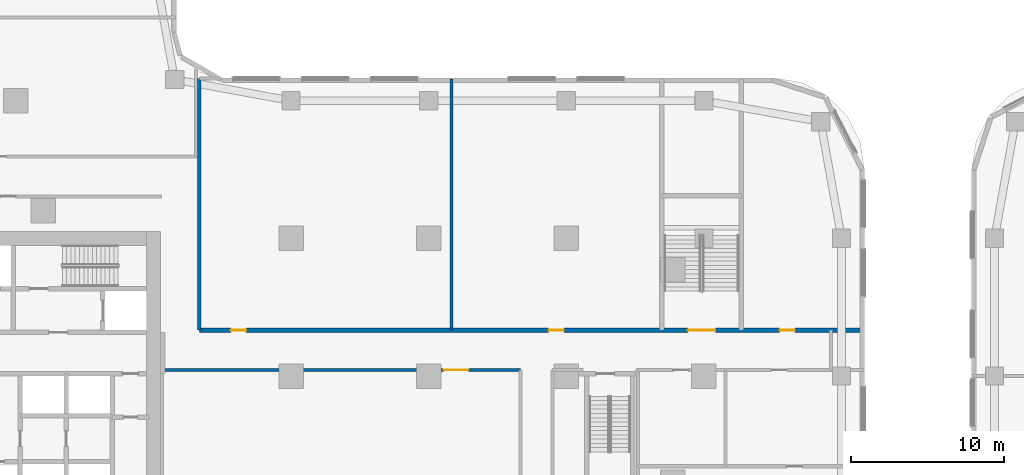
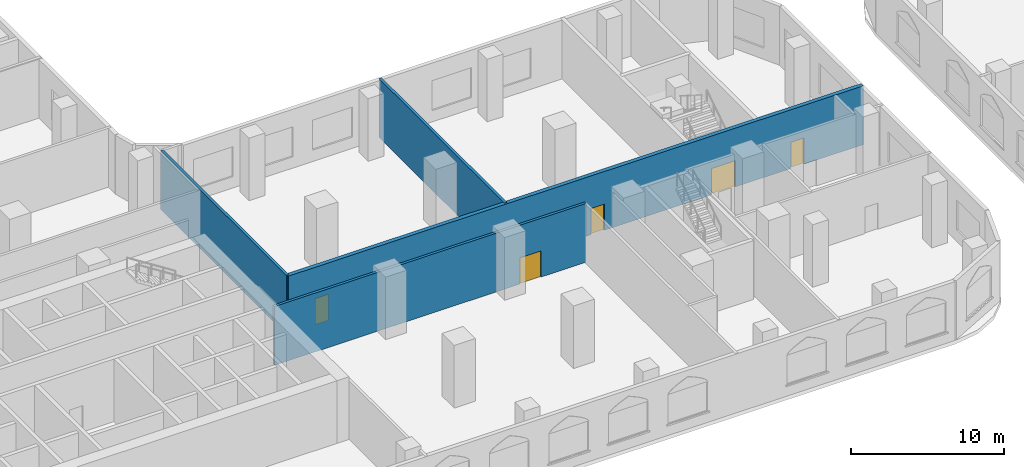
# One storey, part 5 of 31: 5 doors, 4 walls, 5 openings.
"""IFC4 building model written with IfcOpenShell, lengths in metres."""

from ifc_helpers import new_model, si_unit, direction, frame, frame_2d, origin, place, context, subcontext, project, spatial, rectangle, extrude, material, layer, layer_set, type_object, element, fill, save


model = new_model("IFC4")

# Units and contexts
model_context = context("Model", 3, precision=1e-05, world=origin(), true_north=direction((0.0, 1.0)))
body_context = subcontext(model_context, "Body", "Model", "MODEL_VIEW")
ifc_project = project(units=[si_unit("LENGTHUNIT", "METRE"), si_unit("AREAUNIT", "SQUARE_METRE"), si_unit("VOLUMEUNIT", "CUBIC_METRE"), si_unit("PLANEANGLEUNIT", "RADIAN"), si_unit("MASSUNIT", "GRAM", prefix="KILO")], contexts=[model_context])

# Site, building, storey
site_placement = place(None, origin())
site = spatial("IfcSite", under=ifc_project, at=site_placement, CompositionType="ELEMENT")
building_placement = place(site_placement, origin())
building = spatial("IfcBuilding", under=site, at=building_placement, Name="Ogive Portal Towers", CompositionType="ELEMENT")
storey_placement = place(building_placement, frame((0.0, 0.0, 13.5)))
storey = spatial("IfcBuildingStorey", under=building, at=storey_placement, Name="L02", CompositionType="ELEMENT", Elevation=13.5)

# Wall, openings, doors
ifc_material_1 = material(Name="Concrete C50/60", Category="concrete")
ifc_layer_1 = layer(ifc_material_1, 0.300048828125)
ifc_layer_set_1 = layer_set([ifc_layer_1], Name="STAIR WALL 300 C50")
wall_type_1 = type_object("IfcWallType", Name="STAIR WALL 300 C50", PredefinedType="SHEAR", material=ifc_layer_set_1)
wall_1_placement = place(storey_placement, frame((61.5, 33.5, 0.0), z_axis=(0.0, 0.0, 1.0), x_axis=(1.0, 0.0, 0.0)))
wall_1 = element("IfcWall", 1, at=wall_1_placement, inside=storey, type_object=wall_type_1, Name="Stair wall ST-P1 L02", PredefinedType="SHEAR", context=body_context, shape_type="SweptSolid", body=[
    extrude(rectangle(XDim=43.429931640625, YDim=0.300048828125, at=frame_2d((21.71484375, 0.0))), origin(), (0.0, 0.0, 1.0), 4.699951171875),
])
opening_1_placement = place(wall_1_placement, frame((31.949951171875, 0.0, 0.0)))
opening_1 = element("IfcOpeningElement", 2, at=opening_1_placement, cuts=wall_1, Name="Opening P02-003", PredefinedType="OPENING", context=body_context, shape_type="SweptSolid", body=[
    extrude(rectangle(XDim=1.800048828125, YDim=2.10009765625, at=frame_2d((0.89990234375, 1.050048828125))), frame((0.0, 0.16015625, 0.0), z_axis=(0.0, -1.0, 0.0), x_axis=(1.0, 0.0, 0.0)), (0.0, 0.0, 1.0), 0.320068359375),
])
opening_2_placement = place(wall_1_placement, frame((2.068115234375, 0.0, 0.0)))
opening_2 = element("IfcOpeningElement", 3, at=opening_2_placement, cuts=wall_1, Name="Opening P02-014", PredefinedType="OPENING", context=body_context, shape_type="SweptSolid", body=[
    extrude(rectangle(XDim=1.0, YDim=2.10009765625, at=frame_2d((0.5, 1.050048828125))), frame((0.0, 0.16015625, 0.0), z_axis=(0.0, -1.0, 0.0), x_axis=(1.0, 0.0, 0.0)), (0.0, 0.0, 1.0), 0.320068359375),
])
opening_3_placement = place(wall_1_placement, frame((22.845947265625, 0.0, 0.0)))
opening_3 = element("IfcOpeningElement", 4, at=opening_3_placement, cuts=wall_1, Name="Opening P02-015", PredefinedType="OPENING", context=body_context, shape_type="SweptSolid", body=[
    extrude(rectangle(XDim=1.0, YDim=2.10009765625, at=frame_2d((0.5, 1.050048828125))), frame((0.0, 0.16015625, 0.0), z_axis=(0.0, -1.0, 0.0), x_axis=(1.0, 0.0, 0.0)), (0.0, 0.0, 1.0), 0.320068359375),
])
opening_4_placement = place(wall_1_placement, frame((37.945068359375, 0.0, 0.0)))
opening_4 = element("IfcOpeningElement", 5, at=opening_4_placement, cuts=wall_1, Name="Opening P02-016", PredefinedType="OPENING", context=body_context, shape_type="SweptSolid", body=[
    extrude(rectangle(XDim=1.0, YDim=2.10009765625, at=frame_2d((0.5, 1.050048828125))), frame((0.0, 0.16015625, 0.0), z_axis=(0.0, -1.0, 0.0), x_axis=(1.0, 0.0, 0.0)), (0.0, 0.0, 1.0), 0.320068359375),
])
ifc_material_2 = material(Name="Steel fire door", Category="steel")
door_type_1 = type_object("IfcDoorType", Name="DT-SWING-1000x2100-FD90S", OperationType="SINGLE_SWING_LEFT", PredefinedType="DOOR", material=ifc_material_2)
door_1_placement = place(opening_2_placement, origin())
door_1 = element("IfcDoor", 6, at=door_1_placement, inside=storey, type_object=door_type_1, Name="Door P02-014", OperationType="SINGLE_SWING_RIGHT", OverallHeight=2.10009765625, OverallWidth=1.0, PredefinedType="DOOR", context=body_context, shape_type="SweptSolid", body=[
    extrude(rectangle(XDim=1.0, YDim=2.10009765625, at=frame_2d((0.5, 1.050048828125))), frame((0.0, 0.02490234375, 0.0), z_axis=(0.0, -1.0, 0.0), x_axis=(1.0, 0.0, 0.0)), (0.0, 0.0, 1.0), 0.050048828125),
])
fill(opening_2, door_1)
door_2_placement = place(opening_3_placement, origin())
door_2 = element("IfcDoor", 7, at=door_2_placement, inside=storey, type_object=door_type_1, Name="Door P02-015", OperationType="SINGLE_SWING_LEFT", OverallHeight=2.10009765625, OverallWidth=1.0, PredefinedType="DOOR", context=body_context, shape_type="SweptSolid", body=[
    extrude(rectangle(XDim=1.0, YDim=2.10009765625, at=frame_2d((0.5, 1.050048828125))), frame((0.0, 0.02490234375, 0.0), z_axis=(0.0, -1.0, 0.0), x_axis=(1.0, 0.0, 0.0)), (0.0, 0.0, 1.0), 0.050048828125),
])
fill(opening_3, door_2)
door_3_placement = place(opening_4_placement, origin())
door_3 = element("IfcDoor", 8, at=door_3_placement, inside=storey, type_object=door_type_1, Name="Door P02-016", OperationType="SINGLE_SWING_RIGHT", OverallHeight=2.10009765625, OverallWidth=1.0, PredefinedType="DOOR", context=body_context, shape_type="SweptSolid", body=[
    extrude(rectangle(XDim=1.0, YDim=2.10009765625, at=frame_2d((0.5, 1.050048828125))), frame((0.0, 0.02490234375, 0.0), z_axis=(0.0, -1.0, 0.0), x_axis=(1.0, 0.0, 0.0)), (0.0, 0.0, 1.0), 0.050048828125),
])
fill(opening_4, door_3)
door_type_2 = type_object("IfcDoorType", Name="DT-SWING-1800x2100-FD90S", OperationType="SINGLE_SWING_LEFT", PredefinedType="DOOR", material=ifc_material_2)
door_4_placement = place(opening_1_placement, origin())
door_4 = element("IfcDoor", 9, at=door_4_placement, inside=storey, type_object=door_type_2, Name="Door P02-003", OperationType="SINGLE_SWING_LEFT", OverallHeight=2.10009765625, OverallWidth=1.800048828125, PredefinedType="DOOR", context=body_context, shape_type="SweptSolid", body=[
    extrude(rectangle(XDim=1.800048828125, YDim=2.10009765625, at=frame_2d((0.89990234375, 1.050048828125))), frame((0.0, 0.02490234375, 0.0), z_axis=(0.0, -1.0, 0.0), x_axis=(1.0, 0.0, 0.0)), (0.0, 0.0, 1.0), 0.050048828125),
])
fill(opening_1, door_4)

# Wall, opening, door
ifc_material_3 = material(Name="Gypsum board partition on steel studs", Category="steel")
ifc_layer_2 = layer(ifc_material_3, 0.199951171875)
ifc_layer_set_2 = layer_set([ifc_layer_2], Name="WT-PART-200-EI 60")
wall_type_2 = type_object("IfcWallType", Name="WT-PART-200-EI 60", PredefinedType="PARTITIONING", material=ifc_layer_set_2)
wall_2_placement = place(storey_placement, frame((58.969970703125, 30.89990234375, 0.0), z_axis=(0.0, 0.0, 1.0), x_axis=(1.0, 0.0, 0.0)))
wall_2 = element("IfcWall", 10, at=wall_2_placement, inside=storey, type_object=wall_type_2, Name="Wall L02:w013", PredefinedType="PARTITIONING", context=body_context, shape_type="SweptSolid", body=[
    extrude(rectangle(XDim=23.530029296875, YDim=0.199951171875, at=frame_2d((11.76513671875, 0.0))), origin(), (0.0, 0.0, 1.0), 4.699951171875),
])
opening_5_placement = place(wall_2_placement, frame((18.530029296875, 0.0, 0.0)))
opening_5 = element("IfcOpeningElement", 11, at=opening_5_placement, cuts=wall_2, Name="Opening P02-010", PredefinedType="OPENING", context=body_context, shape_type="SweptSolid", body=[
    extrude(rectangle(XDim=1.60009765625, YDim=2.10009765625, at=frame_2d((0.800048828125, 1.050048828125))), frame((0.0, 0.10986328125, 0.0), z_axis=(0.0, -1.0, 0.0), x_axis=(1.0, 0.0, 0.0)), (0.0, 0.0, 1.0), 0.219970703125),
])
door_type_3 = type_object("IfcDoorType", Name="DT-SWING-1600x2100-FD60S", OperationType="SINGLE_SWING_LEFT", PredefinedType="DOOR", material=ifc_material_2)
door_5_placement = place(opening_5_placement, origin())
door_5 = element("IfcDoor", 12, at=door_5_placement, inside=storey, type_object=door_type_3, Name="Door P02-010", OperationType="SINGLE_SWING_RIGHT", OverallHeight=2.10009765625, OverallWidth=1.60009765625, PredefinedType="DOOR", context=body_context, shape_type="SweptSolid", body=[
    extrude(rectangle(XDim=1.60009765625, YDim=2.10009765625, at=frame_2d((0.800048828125, 1.050048828125))), frame((0.0, 0.02490234375, 0.0), z_axis=(0.0, -1.0, 0.0), x_axis=(1.0, 0.0, 0.0)), (0.0, 0.0, 1.0), 0.050048828125),
])
fill(opening_5, door_5)

# Walls
wall_3_placement = place(storey_placement, frame((61.5, 33.5, 0.0), z_axis=(0.0, 0.0, 1.0), x_axis=(0.0, 1.0, 0.0)))
element("IfcWall", 13, at=wall_3_placement, inside=storey, type_object=wall_type_2, Name="Wall L02:w077", PredefinedType="PARTITIONING", context=body_context, shape_type="SweptSolid", body=[
    extrude(rectangle(XDim=16.449951171875, YDim=0.199951171875, at=frame_2d((8.22509765625, 0.0))), origin(), (0.0, 0.0, 1.0), 4.699951171875),
])
wall_4_placement = place(storey_placement, frame((77.98193359375, 33.5, 0.0), z_axis=(0.0, 0.0, 1.0), x_axis=(0.0, 1.0, 0.0)))
element("IfcWall", 14, at=wall_4_placement, inside=storey, type_object=wall_type_2, Name="Wall L02:w078", PredefinedType="PARTITIONING", context=body_context, shape_type="SweptSolid", body=[
    extrude(rectangle(XDim=16.429931640625, YDim=0.199951171875, at=frame_2d((8.21484375, 0.0))), origin(), (0.0, 0.0, 1.0), 4.699951171875),
])

save(model, "model.ifc")
